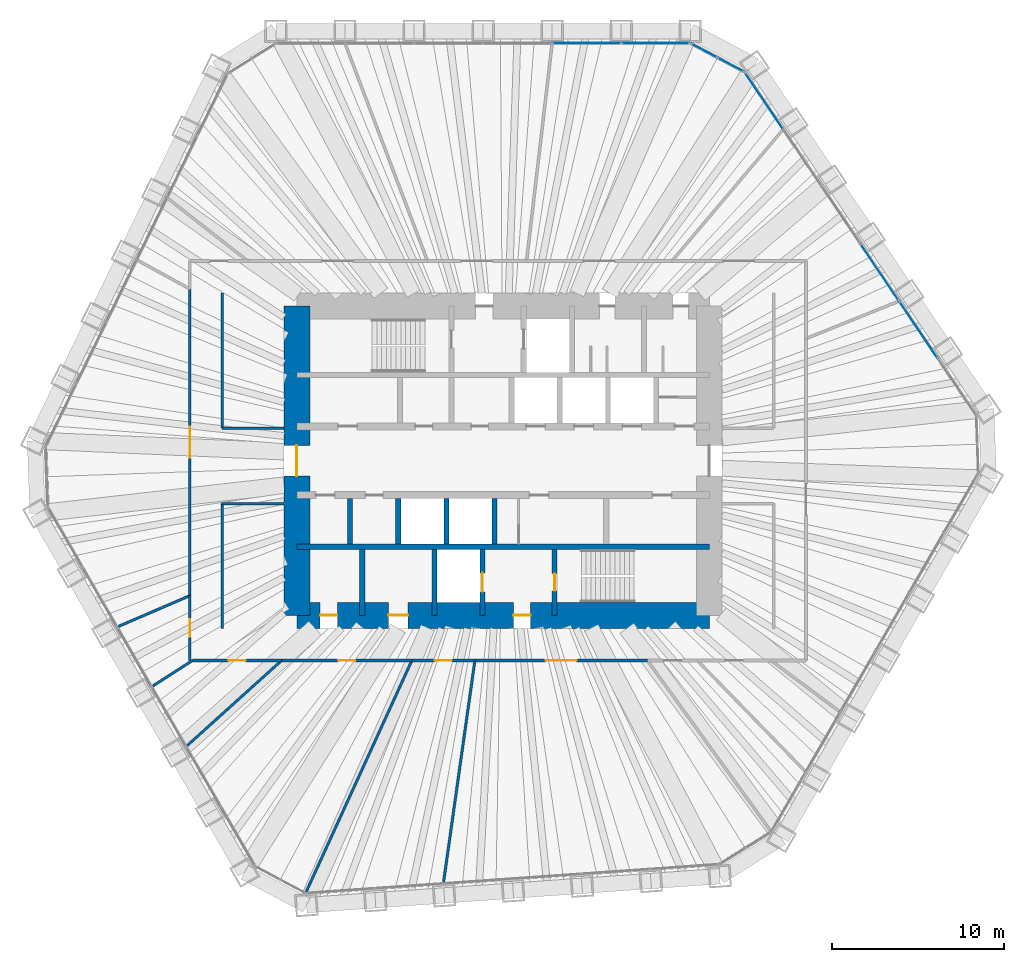
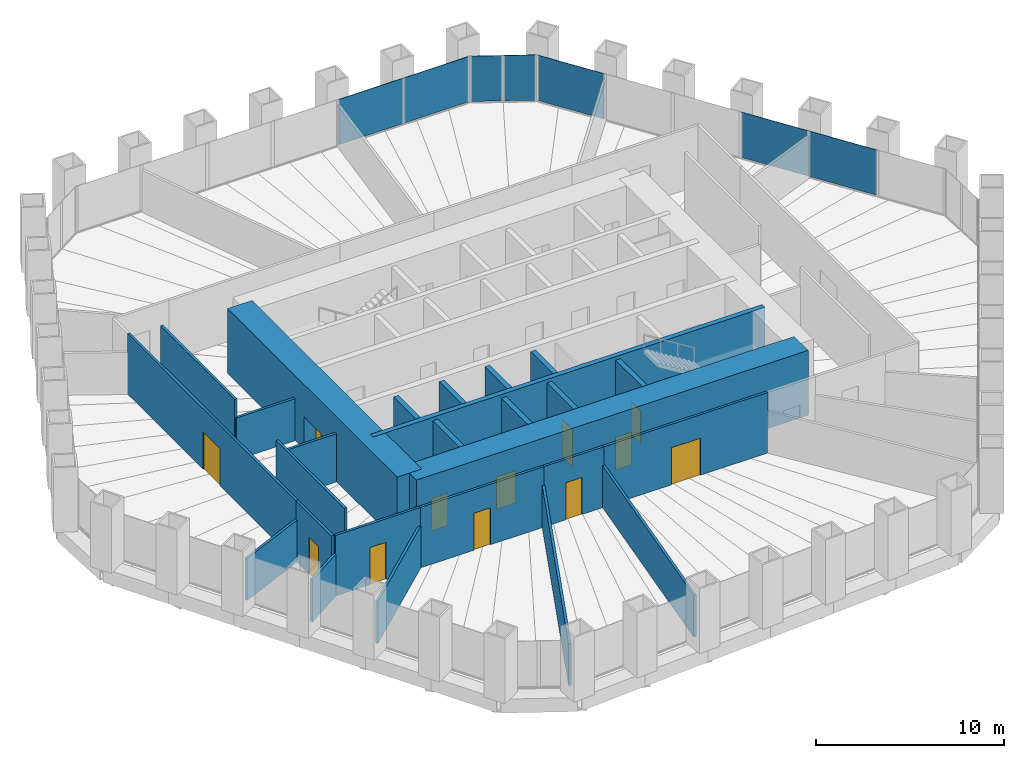
# One storey, part 9 of 12: 26 walls, 12 doors, 7 plates, 12 openings, 3 elements without a shape of their own.
"""IFC4 building model written with IfcOpenShell, lengths in metres."""

from ifc_helpers import new_model, si_unit, direction, frame, frame_2d, origin, origin_2d, place, context, subcontext, project, spatial, rectangle, extrude, material, layer, layer_set, type_object, element, fill, aggregate, save


model = new_model("IFC4")

# Units and contexts
model_context = context("Model", 3, precision=1e-05, world=origin(), true_north=direction((0.0, 1.0)))
body_context = subcontext(model_context, "Body", "Model", "MODEL_VIEW")
ifc_project = project(units=[si_unit("LENGTHUNIT", "METRE"), si_unit("AREAUNIT", "SQUARE_METRE"), si_unit("VOLUMEUNIT", "CUBIC_METRE"), si_unit("PLANEANGLEUNIT", "RADIAN"), si_unit("MASSUNIT", "GRAM", prefix="KILO")], contexts=[model_context])

# Site, building, storey
site_placement = place(None, origin())
site = spatial("IfcSite", under=ifc_project, at=site_placement, CompositionType="ELEMENT")
building_placement = place(site_placement, origin())
building = spatial("IfcBuilding", under=site, at=building_placement, Name="Qingtian Harvest Tower", CompositionType="ELEMENT")
storey_placement = place(building_placement, frame((0.0, 0.0, 170.199951171875)))
storey = spatial("IfcBuildingStorey", under=building, at=storey_placement, Name="L36", CompositionType="ELEMENT", Elevation=170.199951171875)

# Curtain wall, plates
ifc_material_1 = material(Name="Bronze-anodised aluminium curtain wall", Category="aluminium")
curtain_wall_type = type_object("IfcCurtainWallType", Name="Curtain wall CW4 office", PredefinedType="USERDEFINED", material=ifc_material_1)
curtain_wall_1_placement = place(storey_placement, origin())
curtain_wall_1 = element("IfcCurtainWall", 1, at=curtain_wall_1_placement, inside=storey, type_object=curtain_wall_type, Name="Curtain wall CW4 L36 N0-5", ObjectType="RECESSED CURTAIN WALL", PredefinedType="USERDEFINED")
ifc_material_2 = material(Name="Bronze-tinted laminated insulating glass", Category="glass")
ifc_layer_1 = layer(ifc_material_2, 0.030029296875)
ifc_layer_set_1 = layer_set([ifc_layer_1], Name="Glazed panel CWP tinted IGU")
plate_type = type_object("IfcPlateType", Name="Glazed panel CWP tinted IGU", PredefinedType="CURTAIN_PANEL", material=ifc_layer_set_1)
plate_1_placement = place(storey_placement, frame((4.864013671875, 24.300048828125, 0.06494140625), z_axis=(0.0, 0.0, 1.0), x_axis=(1.0, 0.0, 0.0)))
plate_1 = element("IfcPlate", 2, at=plate_1_placement, type_object=plate_type, Name="CW4 panel 5.1", PredefinedType="CURTAIN_PANEL", context=body_context, shape_type="SweptSolid", body=[
    extrude(rectangle(XDim=3.9541015625, YDim=0.030029296875, at=origin_2d()), origin(), (0.0, 0.0, 1.0), 2.93505859375),
])
plate_2_placement = place(storey_placement, frame((8.866943359375, 24.300048828125, 0.06494140625), z_axis=(0.0, 0.0, 1.0), x_axis=(1.0, 0.0, 0.0)))
plate_2 = element("IfcPlate", 3, at=plate_2_placement, type_object=plate_type, Name="CW4 panel 6.1", PredefinedType="CURTAIN_PANEL", context=body_context, shape_type="SweptSolid", body=[
    extrude(rectangle(XDim=3.921630859375, YDim=0.030029296875, at=origin_2d()), origin(), (0.0, 0.0, 1.0), 2.93505859375),
])
aggregate(curtain_wall_1, [plate_1, plate_2])

curtain_wall_2_placement = place(storey_placement, origin())
curtain_wall_2 = element("IfcCurtainWall", 4, at=curtain_wall_2_placement, inside=storey, type_object=curtain_wall_type, Name="Curtain wall CW4 L36 NC", ObjectType="RECESSED CURTAIN WALL", PredefinedType="USERDEFINED")
plate_3_placement = place(storey_placement, frame((11.697509765625, 23.8720703125, 0.06494140625), z_axis=(0.0, 0.0, 1.0), x_axis=(0.882947592859, -0.469471562786, 0.0)))
plate_3 = element("IfcPlate", 5, at=plate_3_placement, type_object=plate_type, Name="CW4 panel 1.1", PredefinedType="CURTAIN_PANEL", context=body_context, shape_type="SweptSolid", body=[
    extrude(rectangle(XDim=1.69287109375, YDim=0.030029296875, at=origin_2d()), origin(), (0.0, 0.0, 1.0), 2.93505859375),
])
plate_4_placement = place(storey_placement, frame((13.249755859375, 23.046875, 0.06494140625), z_axis=(0.0, 0.0, 1.0), x_axis=(0.882947592859, -0.469471562786, 0.0)))
plate_4 = element("IfcPlate", 6, at=plate_4_placement, type_object=plate_type, Name="CW4 panel 2.1", PredefinedType="CURTAIN_PANEL", context=body_context, shape_type="SweptSolid", body=[
    extrude(rectangle(XDim=1.69287109375, YDim=0.030029296875, at=origin_2d()), origin(), (0.0, 0.0, 1.0), 2.93505859375),
])
aggregate(curtain_wall_2, [plate_3, plate_4])

curtain_wall_3_placement = place(storey_placement, origin())
curtain_wall_3 = element("IfcCurtainWall", 7, at=curtain_wall_3_placement, inside=storey, type_object=curtain_wall_type, Name="Curtain wall CW4 L36 NE0-5", ObjectType="RECESSED CURTAIN WALL", PredefinedType="USERDEFINED")
plate_5_placement = place(storey_placement, frame((15.187255859375, 20.939453125, 0.06494140625), z_axis=(0.0, 0.0, 1.0), x_axis=(0.559192903471, -0.829037572555, 0.0)))
plate_5 = element("IfcPlate", 8, at=plate_5_placement, type_object=plate_type, Name="CW4 panel 1.1", PredefinedType="CURTAIN_PANEL", context=body_context, shape_type="SweptSolid", body=[
    extrude(rectangle(XDim=3.921630859375, YDim=0.030029296875, at=origin_2d()), origin(), (0.0, 0.0, 1.0), 2.93505859375),
])
plate_6_placement = place(storey_placement, frame((21.92041015625, 10.95703125, 0.06494140625), z_axis=(0.0, 0.0, 1.0), x_axis=(0.559192903471, -0.829037572555, 0.0)))
plate_6 = element("IfcPlate", 9, at=plate_6_placement, type_object=plate_type, Name="CW4 panel 4.1", PredefinedType="CURTAIN_PANEL", context=body_context, shape_type="SweptSolid", body=[
    extrude(rectangle(XDim=3.9541015625, YDim=0.030029296875, at=origin_2d()), origin(), (0.0, 0.0, 1.0), 2.93505859375),
])
plate_7_placement = place(storey_placement, frame((24.16796875, 7.625, 0.06494140625), z_axis=(0.0, 0.0, 1.0), x_axis=(0.559192903471, -0.829037572555, 0.0)))
plate_7 = element("IfcPlate", 10, at=plate_7_placement, type_object=plate_type, Name="CW4 panel 5.1", PredefinedType="CURTAIN_PANEL", context=body_context, shape_type="SweptSolid", body=[
    extrude(rectangle(XDim=3.9541015625, YDim=0.030029296875, at=origin_2d()), origin(), (0.0, 0.0, 1.0), 2.93505859375),
])
aggregate(curtain_wall_3, [plate_5, plate_6, plate_7])

# Walls
ifc_material_3 = material(Name="Concrete fc' 70 MPa", Category="concrete")
ifc_layer_2 = layer(ifc_material_3, 0.300048828125)
ifc_layer_set_2 = layer_set([ifc_layer_2], Name="Core inner wall RC5 300")
wall_type_1 = type_object("IfcWallType", Name="Core inner wall RC5 300", PredefinedType="SHEAR", material=ifc_layer_set_2)
wall_1_placement = place(storey_placement, frame((-12.0, -5.0, 0.0), z_axis=(0.0, 0.0, 1.0), x_axis=(1.0, 0.0, 0.0)))
element("IfcWall", 11, at=wall_1_placement, inside=storey, type_object=wall_type_1, Name="Core wall IS5 L36", PredefinedType="SHEAR", context=body_context, shape_type="SweptSolid", body=[
    extrude(rectangle(XDim=24.0, YDim=0.300048828125, at=frame_2d((12.0, 0.0))), origin(), (0.0, 0.0, 1.0), 4.199951171875),
])
ifc_material_4 = material(Name="Precast concrete shaft panel", Category="concrete")
ifc_layer_3 = layer(ifc_material_4, 0.300048828125)
ifc_layer_set_3 = layer_set([ifc_layer_3], Name="Core shaft partition SW1 300")
wall_type_2 = type_object("IfcWallType", Name="Core shaft partition SW1 300", PredefinedType="PARTITIONING", material=ifc_layer_set_3)
for number, where, z_axis, x_axis, name in (
    (12, (-8.89990234375, -4.85009765625, 0.0), (0.0, 0.0, 1.0), (0.0, 1.0, 0.0), "Core shaft partition XB1 L36"),
    (13, (-6.10009765625, -4.85009765625, 0.0), (0.0, 0.0, 1.0), (0.0, 1.0, 0.0), "Core shaft partition XB2 L36"),
    (14, (-3.300048828125, -4.85009765625, 0.0), (0.0, 0.0, 1.0), (0.0, 1.0, 0.0), "Core shaft partition XB3 L36"),
    (15, (-0.5, -4.85009765625, 0.0), (0.0, 0.0, 1.0), (0.0, 1.0, 0.0), "Core shaft partition XB4 L36"),
):
    element("IfcWall", number, at=place(storey_placement, frame(where, z_axis=z_axis, x_axis=x_axis)), inside=storey, type_object=wall_type_2, Name=name, PredefinedType="PARTITIONING", context=body_context, shape_type="SweptSolid", body=[
        extrude(rectangle(XDim=2.650146484375, YDim=0.300048828125, at=frame_2d((1.3251953125, 0.0))), origin(), (0.0, 0.0, 1.0), 3.97998046875),
    ])
for number, where, z_axis, x_axis, name in (
    (16, (-8.199951171875, -9.0, 0.0), (0.0, 0.0, 1.0), (0.0, 1.0, 0.0), "Core shaft partition XS1 L36"),
    (17, (-4.0, -9.0, 0.0), (0.0, 0.0, 1.0), (0.0, 1.0, 0.0), "Core shaft partition XS2 L36"),
):
    element("IfcWall", number, at=place(storey_placement, frame(where, z_axis=z_axis, x_axis=x_axis)), inside=storey, type_object=wall_type_2, Name=name, PredefinedType="PARTITIONING", context=body_context, shape_type="SweptSolid", body=[
        extrude(rectangle(XDim=3.85009765625, YDim=0.300048828125, at=frame_2d((1.925048828125, 0.0))), origin(), (0.0, 0.0, 1.0), 3.97998046875),
    ])

# Wall, opening, door
wall_2_placement = place(storey_placement, frame((-1.199951171875, -9.0, 0.0), z_axis=(0.0, 0.0, 1.0), x_axis=(0.0, 1.0, 0.0)))
wall_2 = element("IfcWall", 18, at=wall_2_placement, inside=storey, type_object=wall_type_2, Name="Core shaft partition XS3 L36", PredefinedType="PARTITIONING", context=body_context, shape_type="SweptSolid", body=[
    extrude(rectangle(XDim=3.85009765625, YDim=0.300048828125, at=frame_2d((1.925048828125, 0.0))), origin(), (0.0, 0.0, 1.0), 3.97998046875),
])
opening_1_placement = place(wall_2_placement, frame((1.375, 0.0, 0.0)))
opening_1 = element("IfcOpeningElement", 19, at=opening_1_placement, cuts=wall_2, Name="Opening LD1", PredefinedType="OPENING", context=body_context, shape_type="SweptSolid", body=[
    extrude(rectangle(XDim=1.10009765625, YDim=2.39990234375, at=frame_2d((0.550048828125, 1.199951171875))), frame((0.0, 0.159912109375, 0.0), z_axis=(0.0, -1.0, 0.0), x_axis=(1.0, 0.0, 0.0)), (0.0, 0.0, 1.0), 0.320068359375),
])
ifc_material_5 = material(Name="Stainless steel lift landing door", Category="steel")
door_type_1 = type_object("IfcDoorType", Name="Lift landing door LD1 1 HR", OperationType="DOUBLE_DOOR_SLIDING", PredefinedType="DOOR", material=ifc_material_5)
door_1_placement = place(opening_1_placement, origin())
door_1 = element("IfcDoor", 20, at=door_1_placement, inside=storey, type_object=door_type_1, Name="FL2 landing door L36", OperationType="DOUBLE_DOOR_SLIDING", OverallHeight=2.39990234375, OverallWidth=1.10009765625, PredefinedType="DOOR", context=body_context, shape_type="SweptSolid", body=[
    extrude(rectangle(XDim=1.10009765625, YDim=2.39990234375, at=frame_2d((0.550048828125, 1.199951171875))), frame((0.0, 0.02490234375, 0.0), z_axis=(0.0, -1.0, 0.0), x_axis=(1.0, 0.0, 0.0)), (0.0, 0.0, 1.0), 0.050048828125),
])
fill(opening_1, door_1)

wall_3_placement = place(storey_placement, frame((3.0, -9.0, 0.0), z_axis=(0.0, 0.0, 1.0), x_axis=(0.0, 1.0, 0.0)))
wall_3 = element("IfcWall", 21, at=wall_3_placement, inside=storey, type_object=wall_type_2, Name="Core shaft partition XS4 L36", PredefinedType="PARTITIONING", context=body_context, shape_type="SweptSolid", body=[
    extrude(rectangle(XDim=3.85009765625, YDim=0.300048828125, at=frame_2d((1.925048828125, 0.0))), origin(), (0.0, 0.0, 1.0), 3.97998046875),
])
opening_2_placement = place(wall_3_placement, frame((1.425048828125, 0.0, 0.0)))
opening_2 = element("IfcOpeningElement", 22, at=opening_2_placement, cuts=wall_3, Name="Opening FD1", PredefinedType="OPENING", context=body_context, shape_type="SweptSolid", body=[
    extrude(rectangle(XDim=1.0, YDim=2.10009765625, at=frame_2d((0.5, 1.050048828125))), frame((0.0, 0.159912109375, 0.0), z_axis=(0.0, -1.0, 0.0), x_axis=(1.0, 0.0, 0.0)), (0.0, 0.0, 1.0), 0.320068359375),
])
ifc_material_6 = material(Name="Steel-faced door leaf", Category="steel")
door_type_2 = type_object("IfcDoorType", Name="Fire door FD1 single 1 HR", OperationType="SINGLE_SWING_LEFT", PredefinedType="DOOR", material=ifc_material_6)
door_2_placement = place(opening_2_placement, origin())
door_2 = element("IfcDoor", 23, at=door_2_placement, inside=storey, type_object=door_type_2, Name="S2 door L36", OperationType="SINGLE_SWING_LEFT", OverallHeight=2.10009765625, OverallWidth=1.0, PredefinedType="DOOR", context=body_context, shape_type="SweptSolid", body=[
    extrude(rectangle(XDim=1.0, YDim=2.10009765625, at=frame_2d((0.5, 1.050048828125))), frame((0.0, 0.02490234375, 0.0), z_axis=(0.0, -1.0, 0.0), x_axis=(1.0, 0.0, 0.0)), (0.0, 0.0, 1.0), 0.050048828125),
])
fill(opening_2, door_2)

# Wall, openings, doors
ifc_material_7 = material(Name="Concrete fc' 70 MPa", Category="concrete")
ifc_layer_4 = layer(ifc_material_7, 1.5)
ifc_layer_set_4 = layer_set([ifc_layer_4], Name="Core wall RC1 1500")
wall_type_3 = type_object("IfcWallType", Name="Core wall RC1 1500", PredefinedType="SHEAR", material=ifc_layer_set_4)
wall_4_placement = place(storey_placement, frame((-12.0, -9.0, 0.0), z_axis=(0.0, 0.0, 1.0), x_axis=(1.0, 0.0, 0.0)))
wall_4 = element("IfcWall", 24, at=wall_4_placement, inside=storey, type_object=wall_type_3, Name="Core wall CS L36", PredefinedType="SHEAR", context=body_context, shape_type="SweptSolid", body=[
    extrude(rectangle(XDim=24.0, YDim=1.5, at=frame_2d((12.0, 0.0))), origin(), (0.0, 0.0, 1.0), 4.199951171875),
])
opening_3_placement = place(wall_4_placement, frame((1.35009765625, 0.0, 0.0)))
opening_3 = element("IfcOpeningElement", 25, at=opening_3_placement, cuts=wall_4, Name="Opening FD1", PredefinedType="OPENING", context=body_context, shape_type="SweptSolid", body=[
    extrude(rectangle(XDim=1.0, YDim=2.10009765625, at=frame_2d((0.5, 1.050048828125))), frame((0.0, 0.760009765625, 0.0), z_axis=(0.0, -1.0, 0.0), x_axis=(1.0, 0.0, 0.0)), (0.0, 0.0, 1.0), 1.52001953125),
])
opening_4_placement = place(wall_4_placement, frame((5.324951171875, 0.0, 0.0)))
opening_4 = element("IfcOpeningElement", 26, at=opening_4_placement, cuts=wall_4, Name="Opening AD1", PredefinedType="OPENING", context=body_context, shape_type="SweptSolid", body=[
    extrude(rectangle(XDim=1.14990234375, YDim=2.10009765625, at=frame_2d((0.574951171875, 1.050048828125))), frame((0.0, 0.760009765625, 0.0), z_axis=(0.0, -1.0, 0.0), x_axis=(1.0, 0.0, 0.0)), (0.0, 0.0, 1.0), 1.52001953125),
])
opening_5_placement = place(wall_4_placement, frame((12.60009765625, 0.0, 0.0)))
opening_5 = element("IfcOpeningElement", 27, at=opening_5_placement, cuts=wall_4, Name="Opening FD1", PredefinedType="OPENING", context=body_context, shape_type="SweptSolid", body=[
    extrude(rectangle(XDim=1.0, YDim=2.10009765625, at=frame_2d((0.5, 1.050048828125))), frame((0.0, 0.760009765625, 0.0), z_axis=(0.0, -1.0, 0.0), x_axis=(1.0, 0.0, 0.0)), (0.0, 0.0, 1.0), 1.52001953125),
])
ifc_material_8 = material(Name="Laminated timber door leaf", Category="wood")
door_type_3 = type_object("IfcDoorType", Name="Accessible WC door AD1 single", OperationType="SINGLE_SWING_LEFT", PredefinedType="DOOR", material=ifc_material_8)
door_3_placement = place(opening_4_placement, origin())
door_3 = element("IfcDoor", 28, at=door_3_placement, inside=storey, type_object=door_type_3, Name="AWC door L36", OperationType="SINGLE_SWING_LEFT", OverallHeight=2.10009765625, OverallWidth=1.14990234375, PredefinedType="DOOR", context=body_context, shape_type="SweptSolid", body=[
    extrude(rectangle(XDim=1.14990234375, YDim=2.10009765625, at=frame_2d((0.574951171875, 1.050048828125))), frame((0.0, 0.02490234375, 0.0), z_axis=(0.0, -1.0, 0.0), x_axis=(1.0, 0.0, 0.0)), (0.0, 0.0, 1.0), 0.050048828125),
])
fill(opening_4, door_3)
door_4_placement = place(opening_3_placement, origin())
door_4 = element("IfcDoor", 29, at=door_4_placement, inside=storey, type_object=door_type_2, Name="CLN door L36", OperationType="SINGLE_SWING_RIGHT", OverallHeight=2.10009765625, OverallWidth=1.0, PredefinedType="DOOR", context=body_context, shape_type="SweptSolid", body=[
    extrude(rectangle(XDim=1.0, YDim=2.10009765625, at=frame_2d((0.5, 1.050048828125))), frame((0.0, 0.02490234375, 0.0), z_axis=(0.0, -1.0, 0.0), x_axis=(1.0, 0.0, 0.0)), (0.0, 0.0, 1.0), 0.050048828125),
])
fill(opening_3, door_4)
door_5_placement = place(opening_5_placement, origin())
door_5 = element("IfcDoor", 30, at=door_5_placement, inside=storey, type_object=door_type_2, Name="V2 door L36", OperationType="SINGLE_SWING_RIGHT", OverallHeight=2.10009765625, OverallWidth=1.0, PredefinedType="DOOR", context=body_context, shape_type="SweptSolid", body=[
    extrude(rectangle(XDim=1.0, YDim=2.10009765625, at=frame_2d((0.5, 1.050048828125))), frame((0.0, 0.02490234375, 0.0), z_axis=(0.0, -1.0, 0.0), x_axis=(1.0, 0.0, 0.0)), (0.0, 0.0, 1.0), 0.050048828125),
])
fill(opening_5, door_5)

# Wall, opening, door
wall_5_placement = place(storey_placement, frame((-12.0, -9.0, 0.0), z_axis=(0.0, 0.0, 1.0), x_axis=(0.0, 1.0, 0.0)))
wall_5 = element("IfcWall", 31, at=wall_5_placement, inside=storey, type_object=wall_type_3, Name="Core wall CW L36", PredefinedType="SHEAR", context=body_context, shape_type="SweptSolid", body=[
    extrude(rectangle(XDim=18.0, YDim=1.5, at=frame_2d((9.0, 0.0))), origin(), (0.0, 0.0, 1.0), 4.199951171875),
])
opening_6_placement = place(wall_5_placement, frame((8.10009765625, 0.0, 0.0)))
opening_6 = element("IfcOpeningElement", 32, at=opening_6_placement, cuts=wall_5, Name="Opening FD2", PredefinedType="OPENING", context=body_context, shape_type="SweptSolid", body=[
    extrude(rectangle(XDim=1.800048828125, YDim=2.10009765625, at=frame_2d((0.89990234375, 1.050048828125))), frame((0.0, 0.760009765625, 0.0), z_axis=(0.0, -1.0, 0.0), x_axis=(1.0, 0.0, 0.0)), (0.0, 0.0, 1.0), 1.52001953125),
])
ifc_material_9 = material(Name="Steel-faced door leaf", Category="steel")
door_type_4 = type_object("IfcDoorType", Name="Fire door FD2 double 1 HR", OperationType="DOUBLE_DOOR_DOUBLE_SWING", PredefinedType="DOOR", material=ifc_material_9)
door_6_placement = place(opening_6_placement, origin())
door_6 = element("IfcDoor", 33, at=door_6_placement, inside=storey, type_object=door_type_4, Name="LOBBY-W door L36", OperationType="DOUBLE_DOOR_DOUBLE_SWING", OverallHeight=2.10009765625, OverallWidth=1.800048828125, PredefinedType="DOOR", context=body_context, shape_type="SweptSolid", body=[
    extrude(rectangle(XDim=1.800048828125, YDim=2.10009765625, at=frame_2d((0.89990234375, 1.050048828125))), frame((0.0, 0.02490234375, 0.0), z_axis=(0.0, -1.0, 0.0), x_axis=(1.0, 0.0, 0.0)), (0.0, 0.0, 1.0), 0.050048828125),
])
fill(opening_6, door_6)

ifc_material_10 = material(Name="Gypsum board on steel studs", Category="steel")
ifc_layer_5 = layer(ifc_material_10, 0.14990234375)
ifc_layer_set_5 = layer_set([ifc_layer_5], Name="Partition PT1 150")
wall_type_4 = type_object("IfcWallType", Name="Partition PT1 150", PredefinedType="PARTITIONING", material=ifc_layer_set_5)
wall_6_placement = place(storey_placement, frame((8.4013671875, -11.625, 0.0), z_axis=(0.0, 0.0, 1.0), x_axis=(-1.0, 0.0, 0.0)))
wall_6 = element("IfcWall", 34, at=wall_6_placement, inside=storey, type_object=wall_type_4, Name="Grower training room wall L36", PredefinedType="PARTITIONING", context=body_context, shape_type="SweptSolid", body=[
    extrude(rectangle(XDim=10.043701171875, YDim=0.14990234375, at=frame_2d((5.02197265625, 0.0))), origin(), (0.0, 0.0, 1.0), 3.920166015625),
])
opening_7_placement = place(wall_6_placement, frame((4.121826171875, 0.0, 0.0)))
opening_7 = element("IfcOpeningElement", 35, at=opening_7_placement, cuts=wall_6, Name="Opening D3", PredefinedType="OPENING", context=body_context, shape_type="SweptSolid", body=[
    extrude(rectangle(XDim=1.800048828125, YDim=2.39990234375, at=frame_2d((0.89990234375, 1.199951171875))), frame((0.0, 0.0849609375, 0.0), z_axis=(0.0, -1.0, 0.0), x_axis=(1.0, 0.0, 0.0)), (0.0, 0.0, 1.0), 0.169921875),
])
ifc_material_11 = material(Name="Laminated timber door leaf", Category="wood")
door_type_5 = type_object("IfcDoorType", Name="Room door D3 double", OperationType="DOUBLE_DOOR_DOUBLE_SWING", PredefinedType="DOOR", material=ifc_material_11)
door_7_placement = place(opening_7_placement, origin())
door_7 = element("IfcDoor", 36, at=door_7_placement, inside=storey, type_object=door_type_5, Name="Grower training room door L36", OperationType="DOUBLE_DOOR_DOUBLE_SWING", OverallHeight=2.39990234375, OverallWidth=1.800048828125, PredefinedType="DOOR", context=body_context, shape_type="SweptSolid", body=[
    extrude(rectangle(XDim=1.800048828125, YDim=2.39990234375, at=frame_2d((0.89990234375, 1.199951171875))), frame((0.0, 0.02490234375, 0.0), z_axis=(0.0, -1.0, 0.0), x_axis=(1.0, 0.0, 0.0)), (0.0, 0.0, 1.0), 0.050048828125),
])
fill(opening_7, door_7)

# Wall
wall_7_placement = place(storey_placement, frame((-3.4619140625, -24.50341796875, 0.0), z_axis=(0.0, 0.0, 1.0), x_axis=(0.139899618934, 0.990165691499, 0.0)))
element("IfcWall", 37, at=wall_7_placement, inside=storey, type_object=wall_type_4, Name="Pantry wall L36", PredefinedType="PARTITIONING", context=body_context, shape_type="SweptSolid", body=[
    extrude(rectangle(XDim=13.00634765625, YDim=0.14990234375, at=frame_2d((6.503173828125, 0.0))), origin(), (0.0, 0.0, 1.0), 2.719970703125),
])

# Wall, opening, door
wall_8_placement = place(storey_placement, frame((-1.642333984375, -11.625, 0.0), z_axis=(0.0, 0.0, 1.0), x_axis=(-1.0, 0.0, 0.0)))
wall_8 = element("IfcWall", 38, at=wall_8_placement, inside=storey, type_object=wall_type_4, Name="Pantry wall L36", PredefinedType="PARTITIONING", context=body_context, shape_type="SweptSolid", body=[
    extrude(rectangle(XDim=3.66796875, YDim=0.14990234375, at=frame_2d((1.833984375, 0.0))), origin(), (0.0, 0.0, 1.0), 3.920166015625),
])
opening_8_placement = place(wall_8_placement, frame((1.333984375, 0.0, 0.0)))
opening_8 = element("IfcOpeningElement", 39, at=opening_8_placement, cuts=wall_8, Name="Opening D2", PredefinedType="OPENING", context=body_context, shape_type="SweptSolid", body=[
    extrude(rectangle(XDim=1.0, YDim=2.39990234375, at=frame_2d((0.5, 1.199951171875))), frame((0.0, 0.0849609375, 0.0), z_axis=(0.0, -1.0, 0.0), x_axis=(1.0, 0.0, 0.0)), (0.0, 0.0, 1.0), 0.169921875),
])
ifc_material_12 = material(Name="Laminated timber door leaf", Category="wood")
door_type_6 = type_object("IfcDoorType", Name="Room door D2 single", OperationType="SINGLE_SWING_LEFT", PredefinedType="DOOR", material=ifc_material_12)
door_8_placement = place(opening_8_placement, origin())
door_8 = element("IfcDoor", 40, at=door_8_placement, inside=storey, type_object=door_type_6, Name="Pantry door L36", OperationType="SINGLE_SWING_RIGHT", OverallHeight=2.39990234375, OverallWidth=1.0, PredefinedType="DOOR", context=body_context, shape_type="SweptSolid", body=[
    extrude(rectangle(XDim=1.0, YDim=2.39990234375, at=frame_2d((0.5, 1.199951171875))), frame((0.0, 0.02490234375, 0.0), z_axis=(0.0, -1.0, 0.0), x_axis=(1.0, 0.0, 0.0)), (0.0, 0.0, 1.0), 0.050048828125),
])
fill(opening_8, door_8)

# Wall
wall_9_placement = place(storey_placement, frame((-11.452880859375, -25.072265625, 0.0), z_axis=(0.0, 0.0, 1.0), x_axis=(0.415494357555, 0.909595755729, 0.0)))
element("IfcWall", 41, at=wall_9_placement, inside=storey, type_object=wall_type_4, Name="Meeting room wall L36", PredefinedType="PARTITIONING", context=body_context, shape_type="SweptSolid", body=[
    extrude(rectangle(XDim=14.78369140625, YDim=0.14990234375, at=frame_2d((7.391845703125, 0.0))), origin(), (0.0, 0.0, 1.0), 2.719970703125),
])

# Wall, opening, door
wall_10_placement = place(storey_placement, frame((-5.310302734375, -11.625, 0.0), z_axis=(0.0, 0.0, 1.0), x_axis=(-1.0, 0.0, 0.0)))
wall_10 = element("IfcWall", 42, at=wall_10_placement, inside=storey, type_object=wall_type_4, Name="Meeting room wall L36", PredefinedType="PARTITIONING", context=body_context, shape_type="SweptSolid", body=[
    extrude(rectangle(XDim=7.581787109375, YDim=0.14990234375, at=frame_2d((3.791015625, 0.0))), origin(), (0.0, 0.0, 1.0), 3.920166015625),
])
opening_9_placement = place(wall_10_placement, frame((3.290771484375, 0.0, 0.0)))
opening_9 = element("IfcOpeningElement", 43, at=opening_9_placement, cuts=wall_10, Name="Opening D2", PredefinedType="OPENING", context=body_context, shape_type="SweptSolid", body=[
    extrude(rectangle(XDim=1.0, YDim=2.39990234375, at=frame_2d((0.5, 1.199951171875))), frame((0.0, 0.0849609375, 0.0), z_axis=(0.0, -1.0, 0.0), x_axis=(1.0, 0.0, 0.0)), (0.0, 0.0, 1.0), 0.169921875),
])
door_9_placement = place(opening_9_placement, origin())
door_9 = element("IfcDoor", 44, at=door_9_placement, inside=storey, type_object=door_type_6, Name="Meeting room door L36", OperationType="SINGLE_SWING_RIGHT", OverallHeight=2.39990234375, OverallWidth=1.0, PredefinedType="DOOR", context=body_context, shape_type="SweptSolid", body=[
    extrude(rectangle(XDim=1.0, YDim=2.39990234375, at=frame_2d((0.5, 1.199951171875))), frame((0.0, 0.02490234375, 0.0), z_axis=(0.0, -1.0, 0.0), x_axis=(1.0, 0.0, 0.0)), (0.0, 0.0, 1.0), 0.050048828125),
])
fill(opening_9, door_9)

# Wall
wall_11_placement = place(storey_placement, frame((-18.37841796875, -16.572021484375, 0.0), z_axis=(0.0, 0.0, 1.0), x_axis=(0.742666079924, 0.669661924951, 0.0)))
element("IfcWall", 45, at=wall_11_placement, inside=storey, type_object=wall_type_4, Name="Focus room wall L36", PredefinedType="PARTITIONING", context=body_context, shape_type="SweptSolid", body=[
    extrude(rectangle(XDim=7.387451171875, YDim=0.14990234375, at=frame_2d((3.69384765625, 0.0))), origin(), (0.0, 0.0, 1.0), 2.719970703125),
])

# Wall, opening, door
wall_12_placement = place(storey_placement, frame((-12.89208984375, -11.625, 0.0), z_axis=(0.0, 0.0, 1.0), x_axis=(-1.0, 0.0, 0.0)))
wall_12 = element("IfcWall", 46, at=wall_12_placement, inside=storey, type_object=wall_type_4, Name="Focus room wall L36", PredefinedType="PARTITIONING", context=body_context, shape_type="SweptSolid", body=[
    extrude(rectangle(XDim=5.185302734375, YDim=0.14990234375, at=frame_2d((2.5927734375, 0.0))), origin(), (0.0, 0.0, 1.0), 3.920166015625),
])
opening_10_placement = place(wall_12_placement, frame((2.0927734375, 0.0, 0.0)))
opening_10 = element("IfcOpeningElement", 47, at=opening_10_placement, cuts=wall_12, Name="Opening D2", PredefinedType="OPENING", context=body_context, shape_type="SweptSolid", body=[
    extrude(rectangle(XDim=1.0, YDim=2.39990234375, at=frame_2d((0.5, 1.199951171875))), frame((0.0, 0.0849609375, 0.0), z_axis=(0.0, -1.0, 0.0), x_axis=(1.0, 0.0, 0.0)), (0.0, 0.0, 1.0), 0.169921875),
])
door_10_placement = place(opening_10_placement, origin())
door_10 = element("IfcDoor", 48, at=door_10_placement, inside=storey, type_object=door_type_6, Name="Focus room door L36", OperationType="SINGLE_SWING_RIGHT", OverallHeight=2.39990234375, OverallWidth=1.0, PredefinedType="DOOR", context=body_context, shape_type="SweptSolid", body=[
    extrude(rectangle(XDim=1.0, YDim=2.39990234375, at=frame_2d((0.5, 1.199951171875))), frame((0.0, 0.02490234375, 0.0), z_axis=(0.0, -1.0, 0.0), x_axis=(1.0, 0.0, 0.0)), (0.0, 0.0, 1.0), 0.050048828125),
])
fill(opening_10, door_10)

# Wall
wall_13_placement = place(storey_placement, frame((-20.378173828125, -13.1044921875, 0.0), z_axis=(0.0, 0.0, 1.0), x_axis=(0.841108871346, 0.540865848934, 0.0)))
element("IfcWall", 49, at=wall_13_placement, inside=storey, type_object=wall_type_4, Name="Print room wall L36", PredefinedType="PARTITIONING", context=body_context, shape_type="SweptSolid", body=[
    extrude(rectangle(XDim=2.7353515625, YDim=0.14990234375, at=frame_2d((1.36767578125, 0.0))), origin(), (0.0, 0.0, 1.0), 2.719970703125),
])

# Wall, opening, door
wall_14_placement = place(storey_placement, frame((-18.22509765625, -11.625, 0.0), z_axis=(0.0, 0.0, 1.0), x_axis=(0.0, 1.0, 0.0)))
wall_14 = element("IfcWall", 50, at=wall_14_placement, inside=storey, type_object=wall_type_4, Name="Print room wall L36", PredefinedType="PARTITIONING", context=body_context, shape_type="SweptSolid", body=[
    extrude(rectangle(XDim=3.776123046875, YDim=0.14990234375, at=frame_2d((1.88818359375, 0.0))), origin(), (0.0, 0.0, 1.0), 3.920166015625),
])
opening_11_placement = place(wall_14_placement, frame((1.387939453125, 0.0, 0.0)))
opening_11 = element("IfcOpeningElement", 51, at=opening_11_placement, cuts=wall_14, Name="Opening D2", PredefinedType="OPENING", context=body_context, shape_type="SweptSolid", body=[
    extrude(rectangle(XDim=1.0, YDim=2.39990234375, at=frame_2d((0.5, 1.199951171875))), frame((0.0, 0.0849609375, 0.0), z_axis=(0.0, -1.0, 0.0), x_axis=(1.0, 0.0, 0.0)), (0.0, 0.0, 1.0), 0.169921875),
])
door_11_placement = place(opening_11_placement, origin())
door_11 = element("IfcDoor", 52, at=door_11_placement, inside=storey, type_object=door_type_6, Name="Print room door L36", OperationType="SINGLE_SWING_RIGHT", OverallHeight=2.39990234375, OverallWidth=1.0, PredefinedType="DOOR", context=body_context, shape_type="SweptSolid", body=[
    extrude(rectangle(XDim=1.0, YDim=2.39990234375, at=frame_2d((0.5, 1.199951171875))), frame((0.0, 0.02490234375, 0.0), z_axis=(0.0, -1.0, 0.0), x_axis=(1.0, 0.0, 0.0)), (0.0, 0.0, 1.0), 0.050048828125),
])
fill(opening_11, door_11)

# Wall
wall_15_placement = place(storey_placement, frame((-22.3798828125, -9.638427734375, 0.0), z_axis=(0.0, 0.0, 1.0), x_axis=(0.918428905659, 0.395586078181, 0.0)))
element("IfcWall", 53, at=wall_15_placement, inside=storey, type_object=wall_type_4, Name="Office suite wall L36", PredefinedType="PARTITIONING", context=body_context, shape_type="SweptSolid", body=[
    extrude(rectangle(XDim=4.523681640625, YDim=0.14990234375, at=frame_2d((2.26171875, 0.0))), origin(), (0.0, 0.0, 1.0), 2.719970703125),
])

# Wall, opening, door
wall_16_placement = place(storey_placement, frame((-18.22509765625, -7.848876953125, 0.0), z_axis=(0.0, 0.0, 1.0), x_axis=(0.0, 1.0, 0.0)))
wall_16 = element("IfcWall", 54, at=wall_16_placement, inside=storey, type_object=wall_type_4, Name="Office suite wall L36", PredefinedType="PARTITIONING", context=body_context, shape_type="SweptSolid", body=[
    extrude(rectangle(XDim=17.8447265625, YDim=0.14990234375, at=frame_2d((8.92236328125, 0.0))), origin(), (0.0, 0.0, 1.0), 3.920166015625),
])
opening_12_placement = place(wall_16_placement, frame((8.0224609375, 0.0, 0.0)))
opening_12 = element("IfcOpeningElement", 55, at=opening_12_placement, cuts=wall_16, Name="Opening D3", PredefinedType="OPENING", context=body_context, shape_type="SweptSolid", body=[
    extrude(rectangle(XDim=1.800048828125, YDim=2.39990234375, at=frame_2d((0.89990234375, 1.199951171875))), frame((0.0, 0.0849609375, 0.0), z_axis=(0.0, -1.0, 0.0), x_axis=(1.0, 0.0, 0.0)), (0.0, 0.0, 1.0), 0.169921875),
])
door_12_placement = place(opening_12_placement, origin())
door_12 = element("IfcDoor", 56, at=door_12_placement, inside=storey, type_object=door_type_5, Name="Office suite door L36", OperationType="DOUBLE_DOOR_DOUBLE_SWING", OverallHeight=2.39990234375, OverallWidth=1.800048828125, PredefinedType="DOOR", context=body_context, shape_type="SweptSolid", body=[
    extrude(rectangle(XDim=1.800048828125, YDim=2.39990234375, at=frame_2d((0.89990234375, 1.199951171875))), frame((0.0, 0.02490234375, 0.0), z_axis=(0.0, -1.0, 0.0), x_axis=(1.0, 0.0, 0.0)), (0.0, 0.0, 1.0), 0.050048828125),
])
fill(opening_12, door_12)

# Walls
wall_17_placement = place(storey_placement, frame((-16.35009765625, 1.89990234375, 0.0), z_axis=(0.0, 0.0, 1.0), x_axis=(0.0, 1.0, 0.0)))
element("IfcWall", 57, at=wall_17_placement, inside=storey, type_object=wall_type_4, Name="Reading area wall L36", PredefinedType="PARTITIONING", context=body_context, shape_type="SweptSolid", body=[
    extrude(rectangle(XDim=7.85009765625, YDim=0.14990234375, at=frame_2d((3.925048828125, 0.0))), origin(), (0.0, 0.0, 1.0), 3.920166015625),
])
wall_18_placement = place(storey_placement, frame((-12.75, 1.89990234375, 0.0), z_axis=(0.0, 0.0, 1.0), x_axis=(-1.0, 0.0, 0.0)))
element("IfcWall", 58, at=wall_18_placement, inside=storey, type_object=wall_type_4, Name="Reading area wall L36", PredefinedType="PARTITIONING", context=body_context, shape_type="SweptSolid", body=[
    extrude(rectangle(XDim=3.60009765625, YDim=0.14990234375, at=frame_2d((1.800048828125, 0.0))), origin(), (0.0, 0.0, 1.0), 2.719970703125),
])
wall_19_placement = place(storey_placement, frame((-16.35009765625, -9.75, 0.0), z_axis=(0.0, 0.0, 1.0), x_axis=(0.0, 1.0, 0.0)))
element("IfcWall", 59, at=wall_19_placement, inside=storey, type_object=wall_type_4, Name="Coffee point wall L36", PredefinedType="PARTITIONING", context=body_context, shape_type="SweptSolid", body=[
    extrude(rectangle(XDim=7.25, YDim=0.14990234375, at=frame_2d((3.625, 0.0))), origin(), (0.0, 0.0, 1.0), 3.920166015625),
])
wall_20_placement = place(storey_placement, frame((-12.75, -2.5, 0.0), z_axis=(0.0, 0.0, 1.0), x_axis=(-1.0, 0.0, 0.0)))
element("IfcWall", 60, at=wall_20_placement, inside=storey, type_object=wall_type_4, Name="Coffee point wall L36", PredefinedType="PARTITIONING", context=body_context, shape_type="SweptSolid", body=[
    extrude(rectangle(XDim=3.60009765625, YDim=0.14990234375, at=frame_2d((1.800048828125, 0.0))), origin(), (0.0, 0.0, 1.0), 3.1201171875),
])

save(model, "model.ifc")
